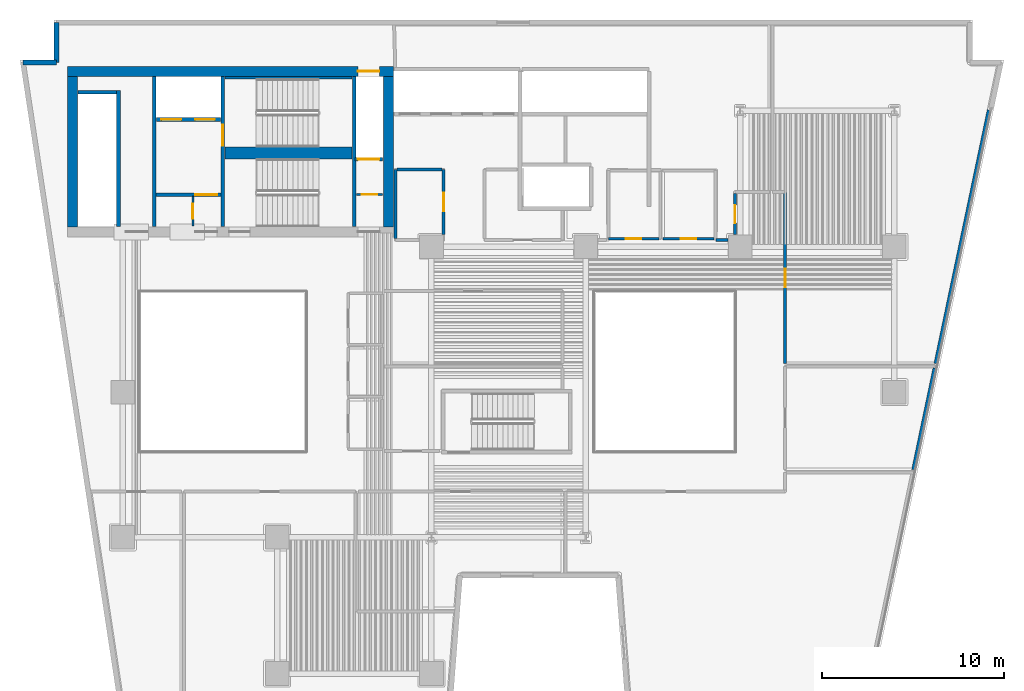
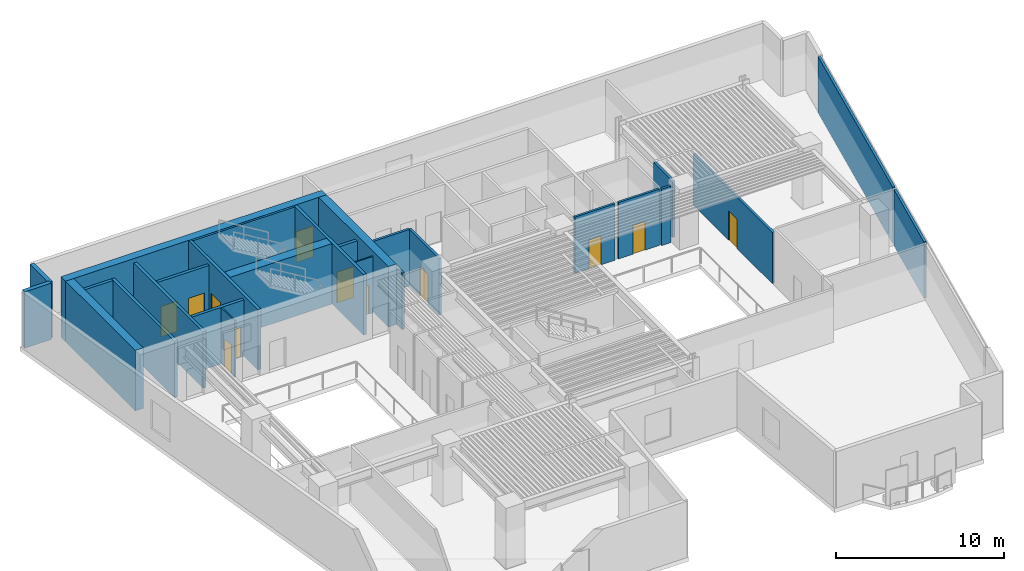
# One storey, part 5 of 12: 27 walls, 13 doors, 13 openings.
"""IFC4 building model written with IfcOpenShell, lengths in metres."""

from ifc_helpers import new_model, si_unit, direction, frame, frame_2d, origin, place, context, subcontext, project, spatial, rectangle, extrude, material, layer, layer_set, type_object, element, fill, save


model = new_model("IFC4")

# Units and contexts
model_context = context("Model", 3, precision=1e-05, world=origin(), true_north=direction((0.0, 1.0)))
body_context = subcontext(model_context, "Body", "Model", "MODEL_VIEW")
ifc_project = project(units=[si_unit("LENGTHUNIT", "METRE"), si_unit("AREAUNIT", "SQUARE_METRE"), si_unit("VOLUMEUNIT", "CUBIC_METRE"), si_unit("PLANEANGLEUNIT", "RADIAN"), si_unit("MASSUNIT", "GRAM", prefix="KILO")], contexts=[model_context])

# Site, building, storey
site_placement = place(None, origin())
site = spatial("IfcSite", under=ifc_project, at=site_placement, CompositionType="ELEMENT")
building_placement = place(site_placement, origin())
building = spatial("IfcBuilding", under=site, at=building_placement, Name="Caeloran Harvest Quay", CompositionType="ELEMENT")
storey_placement = place(building_placement, frame((0.0, 0.0, 71.0)))
storey = spatial("IfcBuildingStorey", under=building, at=storey_placement, Name="L16", CompositionType="ELEMENT", Elevation=71.0)

# Walls
ifc_material_1 = material(Name="Precast concrete C50/60", Category="concrete")
ifc_layer_1 = layer(ifc_material_1, 0.280029296875, Name="Precast concrete C50/60")
ifc_layer_set_1 = layer_set([ifc_layer_1], Name="Precast concrete C50/60")
wall_type_1 = type_object("IfcWallType", Name="ENV-WALL-EW-280", PredefinedType="STANDARD", material=ifc_layer_set_1)
wall_1_placement = place(storey_placement, frame((2.99755859375, 41.159912109375, 0.0), z_axis=(0.0, 0.0, 1.0), x_axis=(1.0, 0.0, 0.0)))
element("IfcWall", 1, at=wall_1_placement, inside=storey, type_object=wall_type_1, Name="L16 Exterior Precast Concrete Facade Wall 4", PredefinedType="STANDARD", context=body_context, shape_type="SweptSolid", body=[
    extrude(rectangle(XDim=1.842529296875, YDim=0.280029296875, at=frame_2d((0.92138671875, 0.0))), origin(), (0.0, 0.0, 1.0), 4.10009765625),
])
wall_2_placement = place(storey_placement, frame((4.840087890625, 41.159912109375, 0.0), z_axis=(0.0, 0.0, 1.0), x_axis=(0.0, 1.0, 0.0)))
element("IfcWall", 2, at=wall_2_placement, inside=storey, type_object=wall_type_1, Name="L16 Exterior Precast Concrete Facade Wall 5", PredefinedType="STANDARD", context=body_context, shape_type="SweptSolid", body=[
    extrude(rectangle(XDim=2.2001953125, YDim=0.280029296875, at=frame_2d((1.10009765625, 0.0))), origin(), (0.0, 0.0, 1.0), 4.10009765625),
])

# Wall, opening, door
ifc_material_2 = material(Name="Fire-Resisting Gypsum Core Riser Partition", Category="gypsum")
ifc_layer_2 = layer(ifc_material_2, 0.10009765625, Name="Fire-Resisting Gypsum Core Riser Partition")
ifc_layer_set_2 = layer_set([ifc_layer_2], Name="Fire-Resisting Gypsum Core Riser Partition")
wall_type_2 = type_object("IfcWallType", Name="INT-WALL-PW-100", PredefinedType="PARTITIONING", material=ifc_layer_set_2)
wall_3_placement = place(storey_placement, frame((12.360107421875, 32.159912109375, 0.0), z_axis=(0.0, 0.0, 1.0), x_axis=(0.0, 1.0, 0.0)))
wall_3 = element("IfcWall", 3, at=wall_3_placement, inside=storey, type_object=wall_type_2, Name="L16 Core Store Partition Wall", PredefinedType="PARTITIONING", context=body_context, shape_type="SweptSolid", body=[
    extrude(rectangle(XDim=1.6201171875, YDim=0.10009765625, at=frame_2d((0.81005859375, 0.0))), origin(), (0.0, 0.0, 1.0), 4.10009765625),
])
opening_1_placement = place(wall_3_placement, frame((0.3798828125, 0.0, 0.0)))
opening_1 = element("IfcOpeningElement", 4, at=opening_1_placement, cuts=wall_3, Name="Opening SV-01", PredefinedType="OPENING", context=body_context, shape_type="SweptSolid", body=[
    extrude(rectangle(XDim=0.85009765625, YDim=2.10009765625, at=frame_2d((0.425048828125, 1.050048828125))), frame((0.0, 0.06005859375, 0.0), z_axis=(0.0, -1.0, 0.0), x_axis=(1.0, 0.0, 0.0)), (0.0, 0.0, 1.0), 0.1201171875),
])
ifc_material_3 = material(Name="Galvanized Painted Steel", Category="steel")
door_type_1 = type_object("IfcDoorType", Name="INTDOOR-SV-01", OperationType="NOTDEFINED", PredefinedType="DOOR", material=ifc_material_3)
door_1_placement = place(opening_1_placement, origin())
door_1 = element("IfcDoor", 5, at=door_1_placement, inside=storey, type_object=door_type_1, Name="L16 Core Service Room Access Door", OperationType="SINGLE_SWING_LEFT", OverallHeight=2.10009765625, OverallWidth=0.85009765625, PredefinedType="DOOR", context=body_context, shape_type="SweptSolid", body=[
    extrude(rectangle(XDim=0.85009765625, YDim=2.10009765625, at=frame_2d((0.425048828125, 1.050048828125))), frame((0.0, 0.02490234375, 0.0), z_axis=(0.0, -1.0, 0.0), x_axis=(1.0, 0.0, 0.0)), (0.0, 0.0, 1.0), 0.050048828125),
])
fill(opening_1, door_1)

wall_4_placement = place(storey_placement, frame((21.3798828125, 33.889892578125, 0.0), z_axis=(0.0, 0.0, 1.0), x_axis=(1.0, 0.0, 0.0)))
wall_4 = element("IfcWall", 6, at=wall_4_placement, inside=storey, type_object=wall_type_2, Name="L16 Cleaner Store Partition Wall", PredefinedType="PARTITIONING", context=body_context, shape_type="SweptSolid", body=[
    extrude(rectangle(XDim=1.420166015625, YDim=0.10009765625, at=frame_2d((0.7099609375, 0.0))), origin(), (0.0, 0.0, 1.0), 4.10009765625),
])
opening_2_placement = place(wall_4_placement, frame((0.280029296875, 0.0, 0.0)))
opening_2 = element("IfcOpeningElement", 7, at=opening_2_placement, cuts=wall_4, Name="Opening SV-01", PredefinedType="OPENING", context=body_context, shape_type="SweptSolid", body=[
    extrude(rectangle(XDim=0.85009765625, YDim=2.10009765625, at=frame_2d((0.425048828125, 1.050048828125))), frame((0.0, 0.06005859375, 0.0), z_axis=(0.0, -1.0, 0.0), x_axis=(1.0, 0.0, 0.0)), (0.0, 0.0, 1.0), 0.1201171875),
])
door_2_placement = place(opening_2_placement, origin())
door_2 = element("IfcDoor", 8, at=door_2_placement, inside=storey, type_object=door_type_1, Name="L16 Cleaner Supply Store Access Door", OperationType="SINGLE_SWING_RIGHT", OverallHeight=2.10009765625, OverallWidth=0.85009765625, PredefinedType="DOOR", context=body_context, shape_type="SweptSolid", body=[
    extrude(rectangle(XDim=0.85009765625, YDim=2.10009765625, at=frame_2d((0.425048828125, 1.050048828125))), frame((0.0, 0.02490234375, 0.0), z_axis=(0.0, -1.0, 0.0), x_axis=(1.0, 0.0, 0.0)), (0.0, 0.0, 1.0), 0.050048828125),
])
fill(opening_2, door_2)

ifc_material_4 = material(Name="Autoclaved Aerated Concrete Blockwork and Plasterboard", Category="masonry")
ifc_layer_3 = layer(ifc_material_4, 0.14990234375, Name="Autoclaved Aerated Concrete Blockwork and Plasterboard")
ifc_layer_set_3 = layer_set([ifc_layer_3], Name="Autoclaved Aerated Concrete Blockwork and Plasterboard")
wall_type_3 = type_object("IfcWallType", Name="INT-WALL-PW-150", PredefinedType="PARTITIONING", material=ifc_layer_set_3)
wall_5_placement = place(storey_placement, frame((38.02001953125, 31.449951171875, 0.0), z_axis=(0.0, 0.0, 1.0), x_axis=(-1.0, 0.0, 0.0)))
wall_5 = element("IfcWall", 9, at=wall_5_placement, inside=storey, type_object=wall_type_3, Name="L16 Core Telemetry West Room Partition Wall", PredefinedType="PARTITIONING", context=body_context, shape_type="SweptSolid", body=[
    extrude(rectangle(XDim=2.77001953125, YDim=0.14990234375, at=frame_2d((1.385009765625, 0.0))), origin(), (0.0, 0.0, 1.0), 4.10009765625),
])
opening_3_placement = place(wall_5_placement, frame((0.9599609375, 0.0, 0.0)))
opening_3 = element("IfcOpeningElement", 10, at=opening_3_placement, cuts=wall_5, Name="Opening SV-01", PredefinedType="OPENING", context=body_context, shape_type="SweptSolid", body=[
    extrude(rectangle(XDim=0.85009765625, YDim=2.10009765625, at=frame_2d((0.425048828125, 1.050048828125))), frame((0.0, 0.0849609375, 0.0), z_axis=(0.0, -1.0, 0.0), x_axis=(1.0, 0.0, 0.0)), (0.0, 0.0, 1.0), 0.169921875),
])
door_3_placement = place(opening_3_placement, origin())
door_3 = element("IfcDoor", 11, at=door_3_placement, inside=storey, type_object=door_type_1, Name="L16 Core Telemetry West Room Access Door", OperationType="SINGLE_SWING_RIGHT", OverallHeight=2.10009765625, OverallWidth=0.85009765625, PredefinedType="DOOR", context=body_context, shape_type="SweptSolid", body=[
    extrude(rectangle(XDim=0.85009765625, YDim=2.10009765625, at=frame_2d((0.425048828125, 1.050048828125))), frame((0.0, 0.02490234375, 0.0), z_axis=(0.0, -1.0, 0.0), x_axis=(1.0, 0.0, 0.0)), (0.0, 0.0, 1.0), 0.050048828125),
])
fill(opening_3, door_3)

wall_6_placement = place(storey_placement, frame((41.070068359375, 31.449951171875, 0.0), z_axis=(0.0, 0.0, 1.0), x_axis=(-1.0, 0.0, 0.0)))
wall_6 = element("IfcWall", 12, at=wall_6_placement, inside=storey, type_object=wall_type_3, Name="L16 Core Metering East Room Partition Wall", PredefinedType="PARTITIONING", context=body_context, shape_type="SweptSolid", body=[
    extrude(rectangle(XDim=2.820068359375, YDim=0.14990234375, at=frame_2d((1.41015625, 0.0))), origin(), (0.0, 0.0, 1.0), 4.10009765625),
])
opening_4_placement = place(wall_6_placement, frame((0.985107421875, 0.0, 0.0)))
opening_4 = element("IfcOpeningElement", 13, at=opening_4_placement, cuts=wall_6, Name="Opening SV-01", PredefinedType="OPENING", context=body_context, shape_type="SweptSolid", body=[
    extrude(rectangle(XDim=0.85009765625, YDim=2.10009765625, at=frame_2d((0.425048828125, 1.050048828125))), frame((0.0, 0.0849609375, 0.0), z_axis=(0.0, -1.0, 0.0), x_axis=(1.0, 0.0, 0.0)), (0.0, 0.0, 1.0), 0.169921875),
])
door_4_placement = place(opening_4_placement, origin())
door_4 = element("IfcDoor", 14, at=door_4_placement, inside=storey, type_object=door_type_1, Name="L16 Core Metering East Room Access Door", OperationType="SINGLE_SWING_LEFT", OverallHeight=2.10009765625, OverallWidth=0.85009765625, PredefinedType="DOOR", context=body_context, shape_type="SweptSolid", body=[
    extrude(rectangle(XDim=0.85009765625, YDim=2.10009765625, at=frame_2d((0.425048828125, 1.050048828125))), frame((0.0, 0.02490234375, 0.0), z_axis=(0.0, -1.0, 0.0), x_axis=(1.0, 0.0, 0.0)), (0.0, 0.0, 1.0), 0.050048828125),
])
fill(opening_4, door_4)

# Wall
ifc_material_5 = material(Name="Autoclaved Aerated Concrete Blockwork", Category="masonry")
ifc_layer_4 = layer(ifc_material_5, 0.1650390625, Name="Autoclaved Aerated Concrete Blockwork")
ifc_layer_set_4 = layer_set([ifc_layer_4], Name="Autoclaved Aerated Concrete Blockwork")
wall_type_4 = type_object("IfcWallType", Name="INT-WALL-PW-165", PredefinedType="PARTITIONING", material=ifc_layer_set_4)
wall_7_placement = place(storey_placement, frame((53.20751953125, 24.33251953125, 0.0), z_axis=(0.0, 0.0, 1.0), x_axis=(-0.20551396666, -0.978654182798, 0.0)))
element("IfcWall", 15, at=wall_7_placement, inside=storey, type_object=wall_type_4, Name="Packaging Crate Laboratory Partition Wall", PredefinedType="PARTITIONING", context=body_context, shape_type="SweptSolid", body=[
    extrude(rectangle(XDim=5.724853515625, YDim=0.1650390625, at=frame_2d((2.8623046875, 0.0))), origin(), (0.0, 0.0, 1.0), 4.10009765625),
])

# Wall, opening, door
wall_8_placement = place(storey_placement, frame((26.169921875, 35.27001953125, 0.0), z_axis=(0.0, 0.0, 1.0), x_axis=(0.0, -1.0, 0.0)))
wall_8 = element("IfcWall", 16, at=wall_8_placement, inside=storey, type_object=wall_type_4, Name="Dwarf Citrus Mezzanine Growing Hall 9 Partition Wall", PredefinedType="PARTITIONING", context=body_context, shape_type="SweptSolid", body=[
    extrude(rectangle(XDim=3.594970703125, YDim=0.1650390625, at=frame_2d((1.79736328125, 0.0))), origin(), (0.0, 0.0, 1.0), 4.10009765625),
])
opening_5_placement = place(wall_8_placement, frame((1.297607421875, 0.0, 0.0)))
opening_5 = element("IfcOpeningElement", 17, at=opening_5_placement, cuts=wall_8, Name="Opening ID-01", PredefinedType="OPENING", context=body_context, shape_type="SweptSolid", body=[
    extrude(rectangle(XDim=1.0, YDim=2.14990234375, at=frame_2d((0.5, 1.074951171875))), frame((0.0, 0.092529296875, 0.0), z_axis=(0.0, -1.0, 0.0), x_axis=(1.0, 0.0, 0.0)), (0.0, 0.0, 1.0), 0.18505859375),
])
ifc_material_6 = material(Name="FSC Solid-Core Ash Timber and Acoustic Seal", Category="wood")
door_type_2 = type_object("IfcDoorType", Name="INTDOOR-ID-01", OperationType="NOTDEFINED", PredefinedType="DOOR", material=ifc_material_6)
door_5_placement = place(opening_5_placement, origin())
door_5 = element("IfcDoor", 18, at=door_5_placement, inside=storey, type_object=door_type_2, Name="Dwarf Citrus Mezzanine Growing Hall 9 Access Door", OperationType="SINGLE_SWING_RIGHT", OverallHeight=2.14990234375, OverallWidth=1.0, PredefinedType="DOOR", context=body_context, shape_type="SweptSolid", body=[
    extrude(rectangle(XDim=1.0, YDim=2.14990234375, at=frame_2d((0.5, 1.074951171875))), frame((0.0, 0.02490234375, 0.0), z_axis=(0.0, -1.0, 0.0), x_axis=(1.0, 0.0, 0.0)), (0.0, 0.0, 1.0), 0.050048828125),
])
fill(opening_5, door_5)

# Walls
wall_9_placement = place(storey_placement, frame((23.510009765625, 31.467529296875, 0.0), z_axis=(0.0, 0.0, 1.0), x_axis=(0.0, 1.0, 0.0)))
element("IfcWall", 19, at=wall_9_placement, inside=storey, type_object=wall_type_4, Name="Dwarf Citrus Mezzanine Growing Hall 9 Partition Wall", PredefinedType="PARTITIONING", context=body_context, shape_type="SweptSolid", body=[
    extrude(rectangle(XDim=3.804443359375, YDim=0.1650390625, at=frame_2d((1.90234375, 0.0))), origin(), (0.0, 0.0, 1.0), 4.10009765625),
])
wall_10_placement = place(storey_placement, frame((23.597412109375, 35.27001953125, 0.0), z_axis=(0.0, 0.0, 1.0), x_axis=(1.0, 0.0, 0.0)))
element("IfcWall", 20, at=wall_10_placement, inside=storey, type_object=wall_type_4, Name="Dwarf Citrus Mezzanine Growing Hall 9 Partition Wall", PredefinedType="PARTITIONING", context=body_context, shape_type="SweptSolid", body=[
    extrude(rectangle(XDim=2.485107421875, YDim=0.1650390625, at=frame_2d((1.24267578125, 0.0))), origin(), (0.0, 0.0, 1.0), 4.10009765625),
])
wall_11_placement = place(storey_placement, frame((56.1943359375, 38.547607421875, 0.0), z_axis=(0.0, 0.0, 1.0), x_axis=(-0.205594071113, -0.978637357719, 0.0)))
element("IfcWall", 21, at=wall_11_placement, inside=storey, type_object=wall_type_4, Name="Medicinal Plant Aeroponic Room 10 Partition Wall", PredefinedType="PARTITIONING", context=body_context, shape_type="SweptSolid", body=[
    extrude(rectangle(XDim=14.2724609375, YDim=0.1650390625, at=frame_2d((7.13623046875, 0.0))), origin(), (0.0, 0.0, 1.0), 4.10009765625),
])

# Wall, opening, door
wall_12_placement = place(storey_placement, frame((44.97998046875, 24.580078125, 0.0), z_axis=(0.0, 0.0, 1.0), x_axis=(0.0, 1.0, 0.0)))
wall_12 = element("IfcWall", 22, at=wall_12_placement, inside=storey, type_object=wall_type_4, Name="Medicinal Plant Aeroponic Room 10 Partition Wall", PredefinedType="PARTITIONING", context=body_context, shape_type="SweptSolid", body=[
    extrude(rectangle(XDim=9.419921875, YDim=0.1650390625, at=frame_2d((4.7099609375, 0.0))), origin(), (0.0, 0.0, 1.0), 3.72509765625),
])
opening_6_placement = place(wall_12_placement, frame((4.2099609375, 0.0, 0.0)))
opening_6 = element("IfcOpeningElement", 23, at=opening_6_placement, cuts=wall_12, Name="Opening ID-01", PredefinedType="OPENING", context=body_context, shape_type="SweptSolid", body=[
    extrude(rectangle(XDim=1.0, YDim=2.14990234375, at=frame_2d((0.5, 1.074951171875))), frame((0.0, 0.092529296875, 0.0), z_axis=(0.0, -1.0, 0.0), x_axis=(1.0, 0.0, 0.0)), (0.0, 0.0, 1.0), 0.18505859375),
])
door_6_placement = place(opening_6_placement, origin())
door_6 = element("IfcDoor", 24, at=door_6_placement, inside=storey, type_object=door_type_2, Name="Medicinal Plant Aeroponic Room 10 Access Door", OperationType="SINGLE_SWING_LEFT", OverallHeight=2.14990234375, OverallWidth=1.0, PredefinedType="DOOR", context=body_context, shape_type="SweptSolid", body=[
    extrude(rectangle(XDim=1.0, YDim=2.14990234375, at=frame_2d((0.5, 1.074951171875))), frame((0.0, 0.02490234375, 0.0), z_axis=(0.0, -1.0, 0.0), x_axis=(1.0, 0.0, 0.0)), (0.0, 0.0, 1.0), 0.050048828125),
])
fill(opening_6, door_6)

wall_13_placement = place(storey_placement, frame((42.219970703125, 33.9423828125, 0.0), z_axis=(0.0, 0.0, 1.0), x_axis=(0.0, -1.0, 0.0)))
wall_13 = element("IfcWall", 25, at=wall_13_placement, inside=storey, type_object=wall_type_4, Name="Photobiology Spectrum Laboratory 11 Partition Wall", PredefinedType="PARTITIONING", context=body_context, shape_type="SweptSolid", body=[
    extrude(rectangle(XDim=2.267333984375, YDim=0.1650390625, at=frame_2d((1.1337890625, 0.0))), origin(), (0.0, 0.0, 1.0), 4.10009765625),
])
opening_7_placement = place(wall_13_placement, frame((0.6337890625, 0.0, 0.0)))
opening_7 = element("IfcOpeningElement", 26, at=opening_7_placement, cuts=wall_13, Name="Opening ID-01", PredefinedType="OPENING", context=body_context, shape_type="SweptSolid", body=[
    extrude(rectangle(XDim=1.0, YDim=2.14990234375, at=frame_2d((0.5, 1.074951171875))), frame((0.0, 0.092529296875, 0.0), z_axis=(0.0, -1.0, 0.0), x_axis=(1.0, 0.0, 0.0)), (0.0, 0.0, 1.0), 0.18505859375),
])
door_7_placement = place(opening_7_placement, origin())
door_7 = element("IfcDoor", 27, at=door_7_placement, inside=storey, type_object=door_type_2, Name="Photobiology Spectrum Laboratory 11 Access Door", OperationType="SINGLE_SWING_RIGHT", OverallHeight=2.14990234375, OverallWidth=1.0, PredefinedType="DOOR", context=body_context, shape_type="SweptSolid", body=[
    extrude(rectangle(XDim=1.0, YDim=2.14990234375, at=frame_2d((0.5, 1.074951171875))), frame((0.0, 0.02490234375, 0.0), z_axis=(0.0, -1.0, 0.0), x_axis=(1.0, 0.0, 0.0)), (0.0, 0.0, 1.0), 0.050048828125),
])
fill(opening_7, door_7)

# Walls
wall_14_placement = place(storey_placement, frame((41.824951171875, 31.3798828125, 0.0), z_axis=(0.0, 0.0, 1.0), x_axis=(-1.0, 0.0, 0.0)))
element("IfcWall", 28, at=wall_14_placement, inside=storey, type_object=wall_type_4, Name="Photobiology Spectrum Laboratory 11 Partition Wall", PredefinedType="PARTITIONING", context=body_context, shape_type="SweptSolid", body=[
    extrude(rectangle(XDim=0.660400390625, YDim=0.1650390625, at=frame_2d((0.330078125, 0.0))), origin(), (0.0, 0.0, 1.0), 4.10009765625),
])
ifc_material_7 = material(Name="Concrete C50/60", Category="concrete")
ifc_layer_5 = layer(ifc_material_7, 0.199951171875, Name="Concrete C50/60")
ifc_layer_set_5 = layer_set([ifc_layer_5], Name="Concrete C50/60")
wall_type_5 = type_object("IfcWallType", Name="INT-WALL-SW-200", PredefinedType="PARTITIONING", material=ifc_layer_set_5)
wall_15_placement = place(storey_placement, frame((8.260009765625, 32.1201171875, 0.0), z_axis=(0.0, 0.0, 1.0), x_axis=(0.0, 1.0, 0.0)))
element("IfcWall", 29, at=wall_15_placement, inside=storey, type_object=wall_type_5, Name="L16 Bank 3 Lift Shaft Wall", PredefinedType="PARTITIONING", context=body_context, shape_type="SweptSolid", body=[
    extrude(rectangle(XDim=7.5, YDim=0.199951171875, at=frame_2d((3.75, 0.0))), origin(), (0.0, 0.0, 1.0), 4.10009765625),
])
wall_16_placement = place(storey_placement, frame((6.02001953125, 39.52001953125, 0.0), z_axis=(0.0, 0.0, 1.0), x_axis=(1.0, 0.0, 0.0)))
element("IfcWall", 30, at=wall_16_placement, inside=storey, type_object=wall_type_5, Name="L16 Bank 3 Lift Shaft North End Wall", PredefinedType="PARTITIONING", context=body_context, shape_type="SweptSolid", body=[
    extrude(rectangle(XDim=2.119873046875, YDim=0.199951171875, at=frame_2d((1.06005859375, 0.0))), origin(), (0.0, 0.0, 1.0), 4.10009765625),
])
wall_17_placement = place(storey_placement, frame((10.219970703125, 32.1201171875, 0.0), z_axis=(0.0, 0.0, 1.0), x_axis=(0.0, 1.0, 0.0)))
element("IfcWall", 31, at=wall_17_placement, inside=storey, type_object=wall_type_5, Name="L16 Core Lobby Compartment Wall", PredefinedType="PARTITIONING", context=body_context, shape_type="SweptSolid", body=[
    extrude(rectangle(XDim=8.259765625, YDim=0.199951171875, at=frame_2d((4.1298828125, 0.0))), origin(), (0.0, 0.0, 1.0), 4.10009765625),
])

# Wall, openings, doors
wall_18_placement = place(storey_placement, frame((10.340087890625, 38.02001953125, 0.0), z_axis=(0.0, 0.0, 1.0), x_axis=(1.0, 0.0, 0.0)))
wall_18 = element("IfcWall", 32, at=wall_18_placement, inside=storey, type_object=wall_type_5, Name="L16 Firefighting Lift Shaft Wall", PredefinedType="PARTITIONING", context=body_context, shape_type="SweptSolid", body=[
    extrude(rectangle(XDim=3.539794921875, YDim=0.199951171875, at=frame_2d((1.77001953125, 0.0))), origin(), (0.0, 0.0, 1.0), 4.10009765625),
])
opening_8_placement = place(wall_18_placement, frame((0.284912109375, 0.0, 0.0)))
opening_8 = element("IfcOpeningElement", 33, at=opening_8_placement, cuts=wall_18, Name="Opening LD-01", PredefinedType="OPENING", context=body_context, shape_type="SweptSolid", body=[
    extrude(rectangle(XDim=1.10009765625, YDim=2.199951171875, at=frame_2d((0.550048828125, 1.10009765625))), frame((0.0, 0.10986328125, 0.0), z_axis=(0.0, -1.0, 0.0), x_axis=(1.0, 0.0, 0.0)), (0.0, 0.0, 1.0), 0.219970703125),
])
opening_9_placement = place(wall_18_placement, frame((2.135009765625, 0.0, 0.0)))
opening_9 = element("IfcOpeningElement", 34, at=opening_9_placement, cuts=wall_18, Name="Opening LD-01", PredefinedType="OPENING", context=body_context, shape_type="SweptSolid", body=[
    extrude(rectangle(XDim=1.10009765625, YDim=2.199951171875, at=frame_2d((0.550048828125, 1.10009765625))), frame((0.0, 0.10986328125, 0.0), z_axis=(0.0, -1.0, 0.0), x_axis=(1.0, 0.0, 0.0)), (0.0, 0.0, 1.0), 0.219970703125),
])
ifc_material_8 = material(Name="Stainless Steel Grade 316", Category="steel")
door_type_3 = type_object("IfcDoorType", Name="INTDOOR-LD-01", OperationType="NOTDEFINED", PredefinedType="DOOR", material=ifc_material_8)
door_8_placement = place(opening_8_placement, origin())
door_8 = element("IfcDoor", 35, at=door_8_placement, inside=storey, type_object=door_type_3, Name="Lift FF-1 Sliding Landing Door (L16)", OperationType="DOUBLE_DOOR_SLIDING", OverallHeight=2.199951171875, OverallWidth=1.10009765625, PredefinedType="DOOR", context=body_context, shape_type="SweptSolid", body=[
    extrude(rectangle(XDim=1.10009765625, YDim=2.199951171875, at=frame_2d((0.550048828125, 1.10009765625))), frame((0.0, 0.02490234375, 0.0), z_axis=(0.0, -1.0, 0.0), x_axis=(1.0, 0.0, 0.0)), (0.0, 0.0, 1.0), 0.050048828125),
])
fill(opening_8, door_8)
door_9_placement = place(opening_9_placement, origin())
door_9 = element("IfcDoor", 36, at=door_9_placement, inside=storey, type_object=door_type_3, Name="Lift FF-2 Sliding Landing Door (L16)", OperationType="DOUBLE_DOOR_SLIDING", OverallHeight=2.199951171875, OverallWidth=1.10009765625, PredefinedType="DOOR", context=body_context, shape_type="SweptSolid", body=[
    extrude(rectangle(XDim=1.10009765625, YDim=2.199951171875, at=frame_2d((0.550048828125, 1.10009765625))), frame((0.0, 0.02490234375, 0.0), z_axis=(0.0, -1.0, 0.0), x_axis=(1.0, 0.0, 0.0)), (0.0, 0.0, 1.0), 0.050048828125),
])
fill(opening_9, door_9)

# Wall, opening, door
wall_19_placement = place(storey_placement, frame((10.340087890625, 33.8798828125, 0.0), z_axis=(0.0, 0.0, 1.0), x_axis=(1.0, 0.0, 0.0)))
wall_19 = element("IfcWall", 37, at=wall_19_placement, inside=storey, type_object=wall_type_5, Name="L16 Firefighting Lift Lobby Enclosure Wall", PredefinedType="PARTITIONING", context=body_context, shape_type="SweptSolid", body=[
    extrude(rectangle(XDim=3.559814453125, YDim=0.199951171875, at=frame_2d((1.77978515625, 0.0))), origin(), (0.0, 0.0, 1.0), 4.10009765625),
])
opening_10_placement = place(wall_19_placement, frame((2.14990234375, 0.0, 0.0)))
opening_10 = element("IfcOpeningElement", 38, at=opening_10_placement, cuts=wall_19, Name="Opening FD-01", PredefinedType="OPENING", context=body_context, shape_type="SweptSolid", body=[
    extrude(rectangle(XDim=1.199951171875, YDim=2.199951171875, at=frame_2d((0.60009765625, 1.10009765625))), frame((0.0, 0.10986328125, 0.0), z_axis=(0.0, -1.0, 0.0), x_axis=(1.0, 0.0, 0.0)), (0.0, 0.0, 1.0), 0.219970703125),
])
ifc_material_9 = material(Name="Steel", Category="steel")
door_type_4 = type_object("IfcDoorType", Name="INTDOOR-FD-01", OperationType="NOTDEFINED", PredefinedType="DOOR", material=ifc_material_9)
door_10_placement = place(opening_10_placement, origin())
door_10 = element("IfcDoor", 39, at=door_10_placement, inside=storey, type_object=door_type_4, Name="L16 Firefighting Lift Lobby Smoke-Seal Fire Door", OperationType="SINGLE_SWING_RIGHT", OverallHeight=2.199951171875, OverallWidth=1.199951171875, PredefinedType="DOOR", context=body_context, shape_type="SweptSolid", body=[
    extrude(rectangle(XDim=1.199951171875, YDim=2.199951171875, at=frame_2d((0.60009765625, 1.10009765625))), frame((0.0, 0.02490234375, 0.0), z_axis=(0.0, -1.0, 0.0), x_axis=(1.0, 0.0, 0.0)), (0.0, 0.0, 1.0), 0.050048828125),
])
fill(opening_10, door_10)

wall_20_placement = place(storey_placement, frame((21.300048828125, 35.820068359375, 0.0), z_axis=(0.0, 0.0, 1.0), x_axis=(1.0, 0.0, 0.0)))
wall_20 = element("IfcWall", 40, at=wall_20_placement, inside=storey, type_object=wall_type_5, Name="L16 Service Lift SV-2 Shaft Wall", PredefinedType="PARTITIONING", context=body_context, shape_type="SweptSolid", body=[
    extrude(rectangle(XDim=1.5, YDim=0.199951171875, at=frame_2d((0.75, 0.0))), origin(), (0.0, 0.0, 1.0), 4.10009765625),
])
opening_11_placement = place(wall_20_placement, frame((0.14501953125, 0.0, 0.0)))
opening_11 = element("IfcOpeningElement", 41, at=opening_11_placement, cuts=wall_20, Name="Opening LD-02", PredefinedType="OPENING", context=body_context, shape_type="SweptSolid", body=[
    extrude(rectangle(XDim=1.179931640625, YDim=2.25, at=frame_2d((0.58984375, 1.125))), frame((0.0, 0.10986328125, 0.0), z_axis=(0.0, -1.0, 0.0), x_axis=(1.0, 0.0, 0.0)), (0.0, 0.0, 1.0), 0.219970703125),
])
door_type_5 = type_object("IfcDoorType", Name="INTDOOR-LD-02", OperationType="NOTDEFINED", PredefinedType="DOOR", material=ifc_material_8)
door_11_placement = place(opening_11_placement, origin())
door_11 = element("IfcDoor", 42, at=door_11_placement, inside=storey, type_object=door_type_5, Name="Lift SV-2 Sliding Landing Door (L16)", OperationType="DOUBLE_DOOR_SLIDING", OverallHeight=2.25, OverallWidth=1.179931640625, PredefinedType="DOOR", context=body_context, shape_type="SweptSolid", body=[
    extrude(rectangle(XDim=1.179931640625, YDim=2.25, at=frame_2d((0.58984375, 1.125))), frame((0.0, 0.02490234375, 0.0), z_axis=(0.0, -1.0, 0.0), x_axis=(1.0, 0.0, 0.0)), (0.0, 0.0, 1.0), 0.050048828125),
])
fill(opening_11, door_11)

ifc_material_10 = material(Name="Concrete C80/95", Category="concrete")
ifc_layer_6 = layer(ifc_material_10, 0.550048828125, Name="Concrete C80/95")
ifc_layer_set_6 = layer_set([ifc_layer_6], Name="Concrete C80/95")
wall_type_6 = type_object("IfcWallType", Name="STR-WALL-CW-550", PredefinedType="SHEAR", material=ifc_layer_set_6)
wall_21_placement = place(storey_placement, frame((5.449951171875, 40.675048828125, 0.0), z_axis=(0.0, 0.0, 1.0), x_axis=(1.0, 0.0, 0.0)))
wall_21 = element("IfcWall", 43, at=wall_21_placement, inside=storey, type_object=wall_type_6, Name="L16 Rear Core Shear Wall N", PredefinedType="SHEAR", context=body_context, shape_type="SweptSolid", body=[
    extrude(rectangle(XDim=17.949951171875, YDim=0.550048828125, at=frame_2d((8.97509765625, 0.0))), origin(), (0.0, 0.0, 1.0), 4.39990234375),
])
opening_12_placement = place(wall_21_placement, frame((15.9951171875, 0.0, 0.0)))
opening_12 = element("IfcOpeningElement", 44, at=opening_12_placement, cuts=wall_21, Name="Opening LD-02", PredefinedType="OPENING", context=body_context, shape_type="SweptSolid", body=[
    extrude(rectangle(XDim=1.179931640625, YDim=2.25, at=frame_2d((0.58984375, 1.125))), frame((0.0, 0.28515625, 0.0), z_axis=(0.0, -1.0, 0.0), x_axis=(1.0, 0.0, 0.0)), (0.0, 0.0, 1.0), 0.570068359375),
])
door_12_placement = place(opening_12_placement, origin())
door_12 = element("IfcDoor", 45, at=door_12_placement, inside=storey, type_object=door_type_5, Name="Lift SV-1 Sliding Landing Door (L16)", OperationType="DOUBLE_DOOR_SLIDING", OverallHeight=2.25, OverallWidth=1.179931640625, PredefinedType="DOOR", context=body_context, shape_type="SweptSolid", body=[
    extrude(rectangle(XDim=1.179931640625, YDim=2.25, at=frame_2d((0.58984375, 1.125))), frame((0.0, 0.02490234375, 0.0), z_axis=(0.0, -1.0, 0.0), x_axis=(1.0, 0.0, 0.0)), (0.0, 0.0, 1.0), 0.050048828125),
])
fill(opening_12, door_12)

# Walls
for number, where, z_axis, x_axis, name in (
    (46, (5.72509765625, 32.10009765625, 0.0), (0.0, 0.0, 1.0), (0.0, 1.0, 0.0), "L16 Rear Core Shear Wall W"),
    (47, (23.125, 32.10009765625, 0.0), (0.0, 0.0, 1.0), (0.0, 1.0, 0.0), "L16 Rear Core Shear Wall E"),
):
    element("IfcWall", number, at=place(storey_placement, frame(where, z_axis=z_axis, x_axis=x_axis)), inside=storey, type_object=wall_type_6, Name=name, PredefinedType="SHEAR", context=body_context, shape_type="SweptSolid", body=[
        extrude(rectangle(XDim=8.2998046875, YDim=0.550048828125, at=frame_2d((4.14990234375, 0.0))), origin(), (0.0, 0.0, 1.0), 4.39990234375),
    ])
ifc_material_11 = material(Name="Concrete C60/75", Category="concrete")
ifc_layer_7 = layer(ifc_material_11, 0.64990234375, Name="Concrete C60/75")
ifc_layer_set_7 = layer_set([ifc_layer_7], Name="Concrete C60/75")
wall_type_7 = type_object("IfcWallType", Name="STR-WALL-CW-650", PredefinedType="SHEAR", material=ifc_layer_set_7)
wall_22_placement = place(storey_placement, frame((14.1201171875, 36.175048828125, 0.0), z_axis=(0.0, 0.0, 1.0), x_axis=(1.0, 0.0, 0.0)))
element("IfcWall", 48, at=wall_22_placement, inside=storey, type_object=wall_type_7, Name="L16 Core Stairs Dividing Shear Wall", PredefinedType="SHEAR", context=body_context, shape_type="SweptSolid", body=[
    extrude(rectangle(XDim=7.009765625, YDim=0.64990234375, at=frame_2d((3.5048828125, 0.0))), origin(), (0.0, 0.0, 1.0), 4.39990234375),
])
ifc_layer_8 = layer(ifc_material_11, 0.139892578125, Name="Concrete C60/75")
ifc_layer_set_8 = layer_set([ifc_layer_8], Name="Concrete C60/75")
wall_type_8 = type_object("IfcWallType", Name="STR-WALL-SW-140", PredefinedType="SHEAR", material=ifc_layer_set_8)
wall_23_placement = place(storey_placement, frame((14.1201171875, 40.320068359375, 0.0), z_axis=(0.0, 0.0, 1.0), x_axis=(1.0, 0.0, 0.0)))
element("IfcWall", 49, at=wall_23_placement, inside=storey, type_object=wall_type_8, Name="L16 Core Stair ST-C1 North Bearing Shear Wall", PredefinedType="SHEAR", context=body_context, shape_type="SweptSolid", body=[
    extrude(rectangle(XDim=7.009765625, YDim=0.139892578125, at=frame_2d((3.5048828125, 0.0))), origin(), (0.0, 0.0, 1.0), 4.39990234375),
])

# Wall, opening, door
ifc_layer_9 = layer(ifc_material_11, 0.199951171875, Name="Concrete C60/75")
ifc_layer_set_9 = layer_set([ifc_layer_9], Name="Concrete C60/75")
wall_type_9 = type_object("IfcWallType", Name="STR-WALL-SW-200", PredefinedType="SHEAR", material=ifc_layer_set_9)
wall_24_placement = place(storey_placement, frame((14.0, 32.1201171875, 0.0), z_axis=(0.0, 0.0, 1.0), x_axis=(0.0, 1.0, 0.0)))
wall_24 = element("IfcWall", 50, at=wall_24_placement, inside=storey, type_object=wall_type_9, Name="L16 Core Stair Shaft West Shear Wall", PredefinedType="SHEAR", context=body_context, shape_type="SweptSolid", body=[
    extrude(rectangle(XDim=8.259765625, YDim=0.199951171875, at=frame_2d((4.1298828125, 0.0))), origin(), (0.0, 0.0, 1.0), 4.39990234375),
])
opening_13_placement = place(wall_24_placement, frame((4.4599609375, 0.0, 0.0)))
opening_13 = element("IfcOpeningElement", 51, at=opening_13_placement, cuts=wall_24, Name="Opening SD-01", PredefinedType="OPENING", context=body_context, shape_type="SweptSolid", body=[
    extrude(rectangle(XDim=1.14990234375, YDim=2.199951171875, at=frame_2d((0.574951171875, 1.10009765625))), frame((0.0, 0.10986328125, 0.0), z_axis=(0.0, -1.0, 0.0), x_axis=(1.0, 0.0, 0.0)), (0.0, 0.0, 1.0), 0.219970703125),
])
door_type_6 = type_object("IfcDoorType", Name="INTDOOR-SD-01", OperationType="NOTDEFINED", PredefinedType="DOOR", material=ifc_material_9)
door_13_placement = place(opening_13_placement, origin())
door_13 = element("IfcDoor", 52, at=door_13_placement, inside=storey, type_object=door_type_6, Name="L16 Protected Stair ST-C1 Exit Door", OperationType="SINGLE_SWING_LEFT", OverallHeight=2.199951171875, OverallWidth=1.14990234375, PredefinedType="DOOR", context=body_context, shape_type="SweptSolid", body=[
    extrude(rectangle(XDim=1.14990234375, YDim=2.199951171875, at=frame_2d((0.574951171875, 1.10009765625))), frame((0.0, 0.02490234375, 0.0), z_axis=(0.0, -1.0, 0.0), x_axis=(1.0, 0.0, 0.0)), (0.0, 0.0, 1.0), 0.050048828125),
])
fill(opening_13, door_13)

# Wall
wall_25_placement = place(storey_placement, frame((21.25, 32.1201171875, 0.0), z_axis=(0.0, 0.0, 1.0), x_axis=(0.0, 1.0, 0.0)))
element("IfcWall", 53, at=wall_25_placement, inside=storey, type_object=wall_type_9, Name="L16 Core Stair Shaft East Shear Wall", PredefinedType="SHEAR", context=body_context, shape_type="SweptSolid", body=[
    extrude(rectangle(XDim=8.259765625, YDim=0.199951171875, at=frame_2d((4.1298828125, 0.0))), origin(), (0.0, 0.0, 1.0), 4.39990234375),
])

save(model, "model.ifc")
